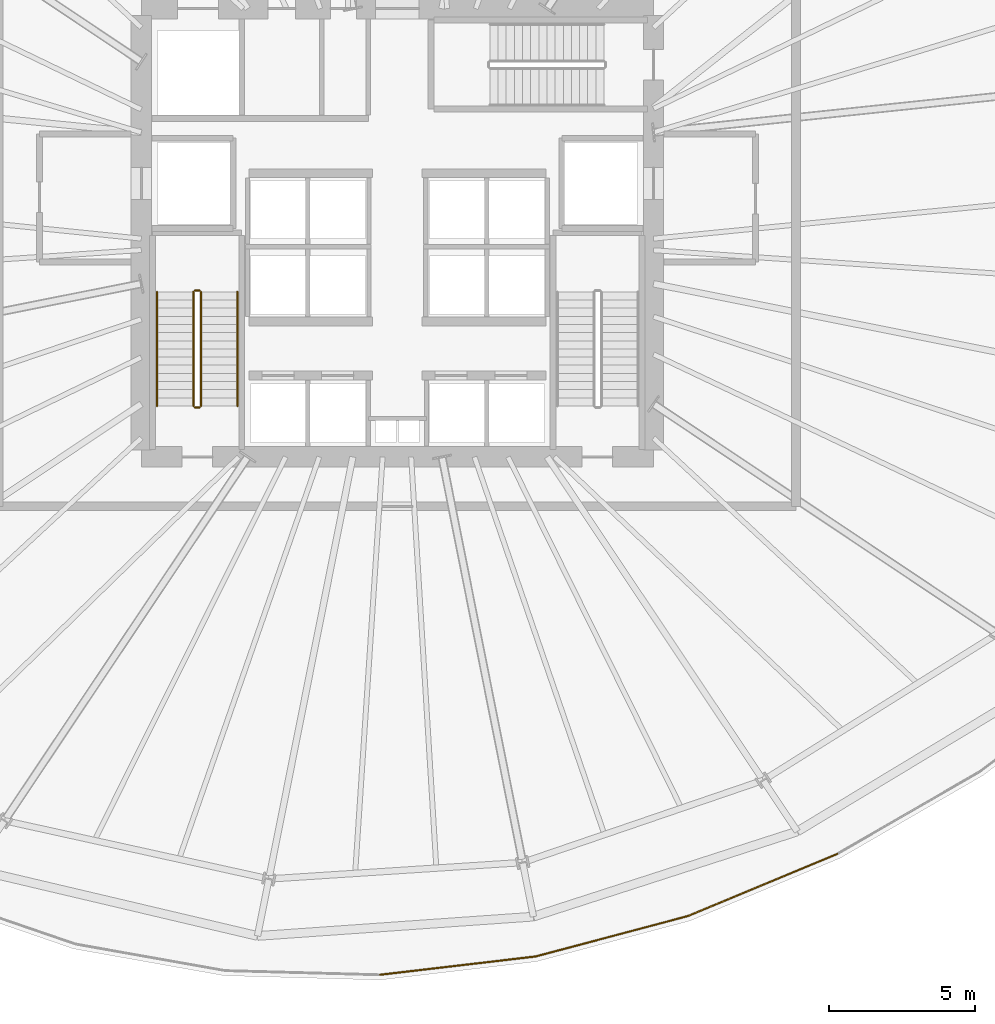
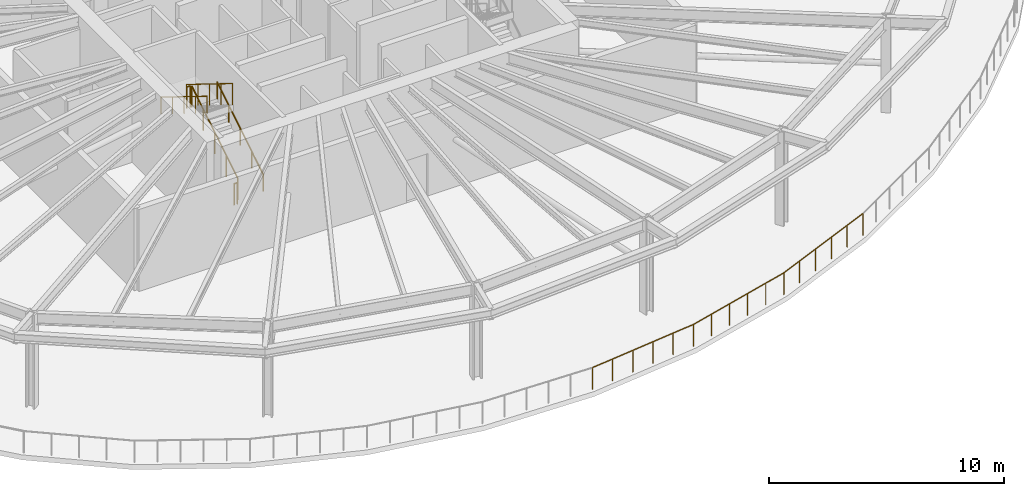
# One storey, part 7 of 9: 9 railings.
"""IFC4 building model written with IfcOpenShell, lengths in metres."""

from ifc_helpers import new_model, si_unit, direction, frame, origin, origin_2d, place, context, subcontext, project, spatial, circle, extrude, material, type_object, element, save


model = new_model("IFC4")

# Units and contexts
model_context = context("Model", 3, precision=1e-05, world=origin(), true_north=direction((0.0, 1.0)))
body_context = subcontext(model_context, "Body", "Model", "MODEL_VIEW")
ifc_project = project(units=[si_unit("LENGTHUNIT", "METRE"), si_unit("AREAUNIT", "SQUARE_METRE"), si_unit("VOLUMEUNIT", "CUBIC_METRE"), si_unit("PLANEANGLEUNIT", "RADIAN"), si_unit("MASSUNIT", "GRAM", prefix="KILO"), si_unit("THERMODYNAMICTEMPERATUREUNIT", "KELVIN")], contexts=[model_context])

# Site, building, storey
site_placement = place(None, origin())
site = spatial("IfcSite", under=ifc_project, at=site_placement, CompositionType="ELEMENT")
building_placement = place(site_placement, origin())
building = spatial("IfcBuilding", under=site, at=building_placement, Name="Kethvar Cultural Tower", CompositionType="ELEMENT")
storey_placement = place(building_placement, frame((0.0, 0.0, 75.199951171875)))
storey = spatial("IfcBuildingStorey", under=building, at=storey_placement, Name="L18", CompositionType="ELEMENT", Elevation=75.199951171875)

# Railings
ifc_material = material(Name="Steel S355J2", Category="steel")
railing_type_1 = type_object("IfcRailingType", Name="RL-EXT-GUARD-1150", PredefinedType="BALUSTRADE", material=ifc_material)
railing_1_placement = place(storey_placement, frame((46.2041015625, 2.305419921875, 0.0)))
element("IfcRailing", 1, at=railing_1_placement, inside=storey, type_object=railing_type_1, Name="L18 Open Wind-Floor Perimeter Guard 27", PredefinedType="BALUSTRADE", context=body_context, shape_type="SweptSolid", body=[
    extrude(circle(Radius=0.02392578125, at=origin_2d()), frame((0.0, 0.0, 1.1259765625), z_axis=(0.993150294343, 0.116843882366, 0.0), x_axis=(-0.116843882366, 0.993150294343, 0.0)), (0.0, 0.0, 1.0), 5.376220703125),
    extrude(circle(Radius=0.02099609375, at=origin_2d()), origin(), (0.0, 0.0, 1.0), 1.101806640625),
    extrude(circle(Radius=0.02099609375, at=origin_2d()), frame((1.06787109375, 0.125732421875, 0.0)), (0.0, 0.0, 1.0), 1.101806640625),
    extrude(circle(Radius=0.02099609375, at=origin_2d()), frame((2.1357421875, 0.251220703125, 0.0)), (0.0, 0.0, 1.0), 1.101806640625),
    extrude(circle(Radius=0.02099609375, at=origin_2d()), frame((3.20361328125, 0.376953125, 0.0)), (0.0, 0.0, 1.0), 1.101806640625),
    extrude(circle(Radius=0.02099609375, at=origin_2d()), frame((4.271484375, 0.50244140625, 0.0)), (0.0, 0.0, 1.0), 1.101806640625),
    extrude(circle(Radius=0.02099609375, at=origin_2d()), frame((5.33935546875, 0.628173828125, 0.0)), (0.0, 0.0, 1.0), 1.101806640625),
])
railing_2_placement = place(storey_placement, frame((51.54345703125, 2.93359375, 0.0)))
element("IfcRailing", 2, at=railing_2_placement, inside=storey, type_object=railing_type_1, Name="L18 Open Wind-Floor Perimeter Guard 28", PredefinedType="BALUSTRADE", context=body_context, shape_type="SweptSolid", body=[
    extrude(circle(Radius=0.02392578125, at=origin_2d()), frame((0.0, 0.0, 1.1259765625), z_axis=(0.966608632162, 0.25625719937, 0.0), x_axis=(-0.25625719937, 0.966608632162, 0.0)), (0.0, 0.0, 1.0), 5.428466796875),
    extrude(circle(Radius=0.02099609375, at=origin_2d()), origin(), (0.0, 0.0, 1.0), 1.101806640625),
    extrude(circle(Radius=0.02099609375, at=origin_2d()), frame((1.049560546875, 0.2783203125, 0.0)), (0.0, 0.0, 1.0), 1.101806640625),
    extrude(circle(Radius=0.02099609375, at=origin_2d()), frame((2.098876953125, 0.556396484375, 0.0)), (0.0, 0.0, 1.0), 1.101806640625),
    extrude(circle(Radius=0.02099609375, at=origin_2d()), frame((3.1484375, 0.834716796875, 0.0)), (0.0, 0.0, 1.0), 1.101806640625),
    extrude(circle(Radius=0.02099609375, at=origin_2d()), frame((4.19775390625, 1.11279296875, 0.0)), (0.0, 0.0, 1.0), 1.101806640625),
    extrude(circle(Radius=0.02099609375, at=origin_2d()), frame((5.247314453125, 1.39111328125, 0.0)), (0.0, 0.0, 1.0), 1.101806640625),
])
railing_3_placement = place(storey_placement, frame((56.790771484375, 4.32470703125, 0.0)))
element("IfcRailing", 3, at=railing_3_placement, inside=storey, type_object=railing_type_1, Name="L18 Open Wind-Floor Perimeter Guard 29", PredefinedType="BALUSTRADE", context=body_context, shape_type="SweptSolid", body=[
    extrude(circle(Radius=0.02392578125, at=origin_2d()), frame((0.0, 0.0, 1.1259765625), z_axis=(0.923024878752, 0.384740267201, 0.0), x_axis=(-0.384740267201, 0.923024878752, 0.0)), (0.0, 0.0, 1.0), 5.552490234375),
    extrude(circle(Radius=0.02099609375, at=origin_2d()), origin(), (0.0, 0.0, 1.0), 1.101806640625),
    extrude(circle(Radius=0.02099609375, at=origin_2d()), frame((1.02490234375, 0.42724609375, 0.0)), (0.0, 0.0, 1.0), 1.101806640625),
    extrude(circle(Radius=0.02099609375, at=origin_2d()), frame((2.050048828125, 0.8544921875, 0.0)), (0.0, 0.0, 1.0), 1.101806640625),
    extrude(circle(Radius=0.02099609375, at=origin_2d()), frame((3.074951171875, 1.28173828125, 0.0)), (0.0, 0.0, 1.0), 1.101806640625),
    extrude(circle(Radius=0.02099609375, at=origin_2d()), frame((4.10009765625, 1.708984375, 0.0)), (0.0, 0.0, 1.0), 1.101806640625),
    extrude(circle(Radius=0.02099609375, at=origin_2d()), frame((5.125, 2.13623046875, 0.0)), (0.0, 0.0, 1.0), 1.101806640625),
])
railing_type_2 = type_object("IfcRailingType", Name="RL-STAIR-GUARD", PredefinedType="BALUSTRADE", material=ifc_material)
railing_4_placement = place(storey_placement, frame((40.050048828125, 21.85009765625, 0.17333984375)))
element("IfcRailing", 4, at=railing_4_placement, inside=storey, type_object=railing_type_2, Name="L18 ST-01 stair guard 1", PredefinedType="BALUSTRADE", context=body_context, shape_type="SweptSolid", body=[
    extrude(circle(Radius=0.02392578125, at=origin_2d()), frame((0.0, 0.0, 1.09619140625), z_axis=(0.0, 0.850251603719, 0.526376491091), x_axis=(-1.0, 0.0, 0.0)), (0.0, 0.0, 1.0), 4.6103515625),
    extrude(circle(Radius=0.02099609375, at=origin_2d()), origin(), (0.0, 0.0, 1.0), 1.072021484375),
    extrude(circle(Radius=0.02099609375, at=origin_2d()), frame((0.0, 0.97998046875, 0.606689453125)), (0.0, 0.0, 1.0), 1.072021484375),
    extrude(circle(Radius=0.02099609375, at=origin_2d()), frame((0.0, 1.9599609375, 1.21337890625)), (0.0, 0.0, 1.0), 1.072021484375),
    extrude(circle(Radius=0.02099609375, at=origin_2d()), frame((0.0, 2.93994140625, 1.820068359375)), (0.0, 0.0, 1.0), 1.072021484375),
    extrude(circle(Radius=0.02099609375, at=origin_2d()), frame((0.0, 3.919921875, 2.4267578125)), (0.0, 0.0, 1.0), 1.072021484375),
])
railing_5_placement = place(storey_placement, frame((40.0, 25.820068359375, 2.60009765625)))
element("IfcRailing", 5, at=railing_5_placement, inside=storey, type_object=railing_type_2, Name="L18 ST-01 stair guard 2", PredefinedType="BALUSTRADE", context=body_context, shape_type="SweptSolid", body=[
    extrude(circle(Radius=0.02392578125, at=origin_2d()), frame((0.0, 0.0, 1.09619140625), z_axis=(-1.0, 0.0, 0.0), x_axis=(0.0, -1.0, 0.0)), (0.0, 0.0, 1.0), 0.159912109375),
    extrude(circle(Radius=0.02099609375, at=origin_2d()), origin(), (0.0, 0.0, 1.0), 1.072021484375),
    extrude(circle(Radius=0.02099609375, at=origin_2d()), frame((-0.159912109375, 0.0, 0.0)), (0.0, 0.0, 1.0), 1.072021484375),
])
railing_6_placement = place(storey_placement, frame((39.7900390625, 25.77001953125, 2.7734375)))
element("IfcRailing", 6, at=railing_6_placement, inside=storey, type_object=railing_type_2, Name="L18 ST-01 stair guard 3", PredefinedType="BALUSTRADE", context=body_context, shape_type="SweptSolid", body=[
    extrude(circle(Radius=0.02392578125, at=origin_2d()), frame((0.0, 0.0, 1.09619140625), z_axis=(0.0, -0.850275303828, 0.526338206574), x_axis=(1.0, 0.0, 0.0)), (0.0, 0.0, 1.0), 4.610107421875),
    extrude(circle(Radius=0.02099609375, at=origin_2d()), origin(), (0.0, 0.0, 1.0), 1.072021484375),
    extrude(circle(Radius=0.02099609375, at=origin_2d()), frame((0.0, -0.97998046875, 0.606689453125)), (0.0, 0.0, 1.0), 1.072021484375),
    extrude(circle(Radius=0.02099609375, at=origin_2d()), frame((0.0, -1.9599609375, 1.21337890625)), (0.0, 0.0, 1.0), 1.072021484375),
    extrude(circle(Radius=0.02099609375, at=origin_2d()), frame((0.0, -2.93994140625, 1.81982421875)), (0.0, 0.0, 1.0), 1.072021484375),
    extrude(circle(Radius=0.02099609375, at=origin_2d()), frame((0.0, -3.919921875, 2.426513671875)), (0.0, 0.0, 1.0), 1.072021484375),
])
railing_7_placement = place(storey_placement, frame((40.0, 21.800048828125, 0.0)))
element("IfcRailing", 7, at=railing_7_placement, inside=storey, type_object=railing_type_2, Name="L18 ST-01 stair guard 4", PredefinedType="BALUSTRADE", context=body_context, shape_type="SweptSolid", body=[
    extrude(circle(Radius=0.02392578125, at=origin_2d()), frame((0.0, 0.0, 1.09619140625), z_axis=(-1.0, 0.0, 0.0), x_axis=(0.0, -1.0, 0.0)), (0.0, 0.0, 1.0), 0.159912109375),
    extrude(circle(Radius=0.02099609375, at=origin_2d()), origin(), (0.0, 0.0, 1.0), 1.072021484375),
    extrude(circle(Radius=0.02099609375, at=origin_2d()), frame((-0.159912109375, 0.0, 0.0)), (0.0, 0.0, 1.0), 1.072021484375),
])
railing_type_3 = type_object("IfcRailingType", Name="RL-STAIR-HANDRAIL", PredefinedType="HANDRAIL", material=ifc_material)
railing_8_placement = place(storey_placement, frame((41.300048828125, 21.85009765625, 0.17333984375)))
element("IfcRailing", 8, at=railing_8_placement, inside=storey, type_object=railing_type_3, Name="L18 ST-01 stair handrail 1", PredefinedType="HANDRAIL", context=body_context, shape_type="SweptSolid", body=[
    extrude(circle(Radius=0.02392578125, at=origin_2d()), frame((0.0, 0.0, 0.8759765625), z_axis=(0.0, 0.850251603719, 0.526376491091), x_axis=(-1.0, 0.0, 0.0)), (0.0, 0.0, 1.0), 4.6103515625),
    extrude(circle(Radius=0.02099609375, at=origin_2d()), origin(), (0.0, 0.0, 1.0), 0.851806640625),
    extrude(circle(Radius=0.02099609375, at=origin_2d()), frame((0.0, 0.97998046875, 0.606689453125)), (0.0, 0.0, 1.0), 0.851806640625),
    extrude(circle(Radius=0.02099609375, at=origin_2d()), frame((0.0, 1.9599609375, 1.21337890625)), (0.0, 0.0, 1.0), 0.851806640625),
    extrude(circle(Radius=0.02099609375, at=origin_2d()), frame((0.0, 2.93994140625, 1.820068359375)), (0.0, 0.0, 1.0), 0.851806640625),
    extrude(circle(Radius=0.02099609375, at=origin_2d()), frame((0.0, 3.919921875, 2.4267578125)), (0.0, 0.0, 1.0), 0.851806640625),
])
railing_9_placement = place(storey_placement, frame((38.5400390625, 25.77001953125, 2.7734375)))
element("IfcRailing", 9, at=railing_9_placement, inside=storey, type_object=railing_type_3, Name="L18 ST-01 stair handrail 2", PredefinedType="HANDRAIL", context=body_context, shape_type="SweptSolid", body=[
    extrude(circle(Radius=0.02392578125, at=origin_2d()), frame((0.0, 0.0, 0.8759765625), z_axis=(0.0, -0.850275303828, 0.526338206574), x_axis=(1.0, 0.0, 0.0)), (0.0, 0.0, 1.0), 4.610107421875),
    extrude(circle(Radius=0.02099609375, at=origin_2d()), origin(), (0.0, 0.0, 1.0), 0.851806640625),
    extrude(circle(Radius=0.02099609375, at=origin_2d()), frame((0.0, -0.97998046875, 0.606689453125)), (0.0, 0.0, 1.0), 0.851806640625),
    extrude(circle(Radius=0.02099609375, at=origin_2d()), frame((0.0, -1.9599609375, 1.21337890625)), (0.0, 0.0, 1.0), 0.851806640625),
    extrude(circle(Radius=0.02099609375, at=origin_2d()), frame((0.0, -2.93994140625, 1.81982421875)), (0.0, 0.0, 1.0), 0.851806640625),
    extrude(circle(Radius=0.02099609375, at=origin_2d()), frame((0.0, -3.919921875, 2.426513671875)), (0.0, 0.0, 1.0), 0.851806640625),
])

save(model, "model.ifc")
